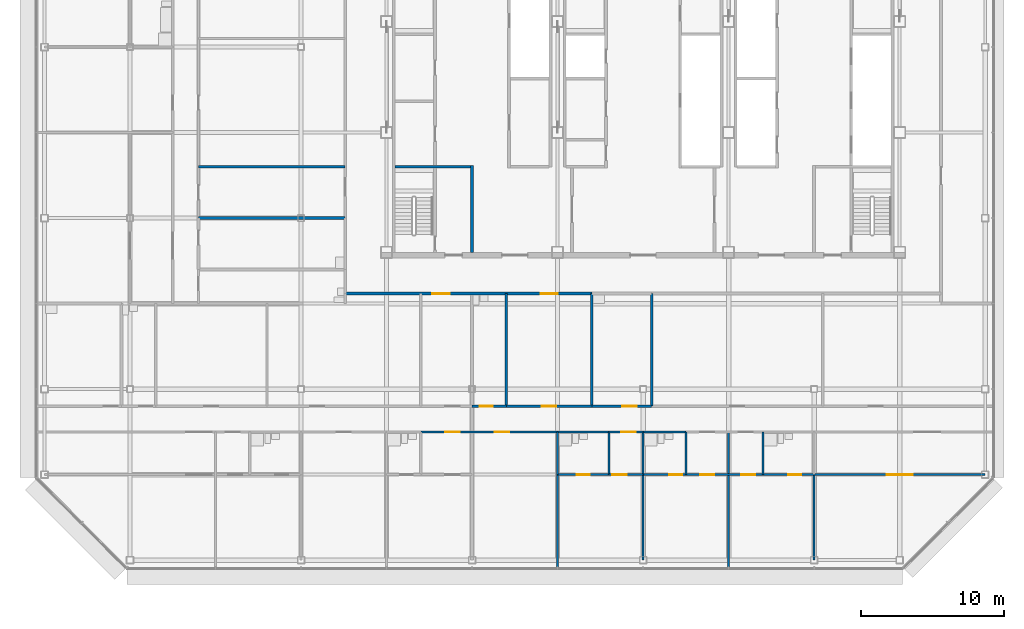
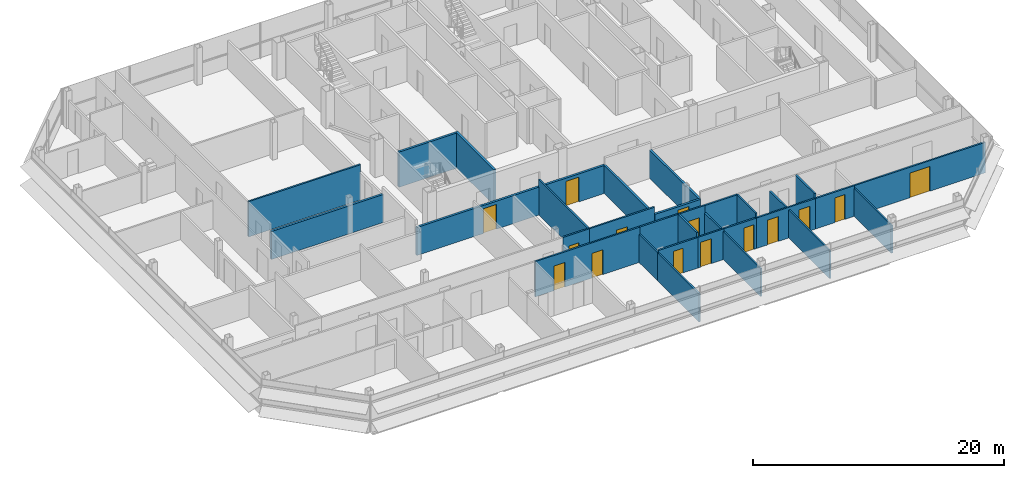
# One storey, part 22 of 28: 30 walls, 15 doors, 15 openings.
"""IFC4 building model written with IfcOpenShell, lengths in metres."""

import ifcopenshell
import ifcopenshell.guid

model = None  # the IFC model being written
_history = None  # IfcOwnerHistory: only IFC2X3 demands one
_inside = {}  # id of a spatial element -> (the spatial element, [elements in it])
_under = {}  # id of a project, library or spatial element -> (it, [spatial elements below it])
_declared = {}  # id of a project -> (the project, [libraries it declares])
_typed = {}  # id of a type object -> (the type object, [elements of that type])
_made_of = {}  # id of a material, layer set ... -> (it, [elements and type objects made of it])


def new_model(schema):
    """Start an empty IFC model of exactly this schema.

    Asked for "IFC4X3", IfcOpenShell would pick the latest addendum, in which some entities
    have other attributes; the version numbers below select the first issue.
    IFC2X3 requires an IfcOwnerHistory on every rooted entity: one is made here for all.
    """
    global model, _history
    if schema == "IFC4X3":
        model = ifcopenshell.file(schema_version=(4, 3, 0, 0))
    else:
        model = ifcopenshell.file(schema=schema)
    _inside.clear()
    _under.clear()
    _declared.clear()
    _typed.clear()
    _made_of.clear()
    _history = None
    if model.schema == "IFC2X3":
        org = make("IfcOrganization", Name="unknown")
        user = make(
            "IfcPersonAndOrganization",
            ThePerson=make("IfcPerson", FamilyName="unknown"),
            TheOrganization=org,
        )
        app = make(
            "IfcApplication",
            ApplicationDeveloper=org,
            Version="unknown",
            ApplicationFullName="unknown",
            ApplicationIdentifier="unknown",
        )
        _history = make(
            "IfcOwnerHistory",
            OwningUser=user,
            OwningApplication=app,
            ChangeAction="ADDED",
            CreationDate=0,
        )
    return model


def make(cls, **values):
    """One entity of the class cls with the attributes given. An attribute that is None is left unset."""
    return model.create_entity(
        cls, **{name: value for name, value in values.items() if value is not None}
    )


def rooted(cls, **values):
    """An entity with a GlobalId (a new one), such as an element, a storey or a relation."""
    return make(cls, GlobalId=ifcopenshell.guid.new(), OwnerHistory=_history, **values)


def si_unit(unit_type, name, prefix=None):
    """IfcSIUnit, for example si_unit("LENGTHUNIT", "METRE", prefix="MILLI")."""
    return make("IfcSIUnit", UnitType=unit_type, Prefix=prefix, Name=name)


def assignment(units):
    """IfcUnitAssignment: the units of a project."""
    return None if units is None else make("IfcUnitAssignment", Units=units)


def point(xyz):
    """IfcCartesianPoint."""
    return None if xyz is None else make("IfcCartesianPoint", Coordinates=xyz)


def direction(xyz):
    """IfcDirection."""
    return None if xyz is None else make("IfcDirection", DirectionRatios=xyz)


def frame(location, z_axis=None, x_axis=None):
    """IfcAxis2Placement3D, a coordinate frame: its origin and axes. An axis left out is left unset."""
    return make(
        "IfcAxis2Placement3D",
        Location=point(location),
        Axis=direction(z_axis),
        RefDirection=direction(x_axis),
    )


def frame_2d(location, x_axis=None):
    """IfcAxis2Placement2D, a coordinate frame in the plane: its origin and x axis."""
    return make(
        "IfcAxis2Placement2D", Location=point(location), RefDirection=direction(x_axis)
    )


def origin():
    """The frame at (0, 0, 0) with its axes left unset."""
    return frame((0.0, 0.0, 0.0))


def place(relative_to, where):
    """IfcLocalPlacement: puts the frame where relative to a parent placement (None: the world)."""
    return make(
        "IfcLocalPlacement", PlacementRelTo=relative_to, RelativePlacement=where
    )


def context(
    kind, dimensions, precision=None, world=None, true_north=None, identifier=None
):
    """IfcGeometricRepresentationContext, for example the 3D "Model" context."""
    return make(
        "IfcGeometricRepresentationContext",
        ContextIdentifier=identifier,
        ContextType=kind,
        CoordinateSpaceDimension=dimensions,
        Precision=precision,
        WorldCoordinateSystem=world,
        TrueNorth=true_north,
    )


def subcontext(parent, identifier, kind, view, scale=None):
    """IfcGeometricRepresentationSubContext, for example "Body" below "Model"."""
    return make(
        "IfcGeometricRepresentationSubContext",
        ContextIdentifier=identifier,
        ContextType=kind,
        ParentContext=parent,
        TargetScale=scale,
        TargetView=view,
    )


def project(units=None, contexts=None):
    """IfcProject with its units and contexts."""
    return rooted(
        "IfcProject",
        Name="project",
        RepresentationContexts=contexts,
        UnitsInContext=assignment(units),
    )


def spatial(cls, under=None, at=None, **own):
    """A site, building, storey or space (cls), placed at a placement, below another one or the project."""
    s = rooted(cls, ObjectPlacement=at, **own)
    if under is not None:
        _under.setdefault(under.id(), (under, []))[1].append(s)
    return s


def profile(cls, at=None, kind="AREA", **sizes):
    """A parametric profile (cls). Its sizes go by their IFC names, for example OverallWidth=200.0."""
    return make(cls, ProfileType=kind, Position=at, **sizes)


def rectangle(**sizes):
    """IfcRectangleProfileDef."""
    return profile("IfcRectangleProfileDef", **sizes)


def extrude(swept, where, along, depth):
    """IfcExtrudedAreaSolid: the profile swept, set in the frame where, extruded along a direction by depth."""
    return make(
        "IfcExtrudedAreaSolid",
        SweptArea=swept,
        Position=where,
        ExtrudedDirection=direction(along),
        Depth=depth,
    )


def shape(context_of_items, identifier, shape_type, items):
    """IfcShapeRepresentation: the items that make up one representation, for example the "Body"."""
    return make(
        "IfcShapeRepresentation",
        ContextOfItems=context_of_items,
        RepresentationIdentifier=identifier,
        RepresentationType=shape_type,
        Items=items,
    )


def material(Name=None, Category=None):
    """IfcMaterial."""
    return make("IfcMaterial", Name=Name, Category=Category)


def layer(
    of_material, thickness, ventilated=None, Name=None, Category=None, Priority=None
):
    """IfcMaterialLayer: one layer of a wall or slab, of a material (None: an air gap)."""
    return make(
        "IfcMaterialLayer",
        Material=of_material,
        LayerThickness=thickness,
        IsVentilated=ventilated,
        Name=Name,
        Category=Category,
        Priority=Priority,
    )


def layer_set(layers, Name=None):
    """IfcMaterialLayerSet."""
    return make("IfcMaterialLayerSet", MaterialLayers=layers, LayerSetName=Name)


def made_of(thing, what):
    """Note that an element or type object is made of a material, layer set ...; save() writes the relation."""
    if what is not None:
        _made_of.setdefault(what.id(), (what, []))[1].append(thing)
    return thing


def type_object(cls, material=None, **own):
    """A type object (cls), such as IfcWallType, which elements share."""
    return made_of(rooted(cls, **own), material)


def element(
    cls,
    number,
    at=None,
    inside=None,
    cuts=None,
    type_object=None,
    material=None,
    context=None,
    identifier="Body",
    shape_type=None,
    held_by="IfcProductDefinitionShape",
    body=None,
    shapes=None,
    **own,
):
    """One element of the class cls, such as IfcWall. Its Tag is "e" and its number.

    at: its placement. inside: the storey or other place that contains it. cuts: it is an
    opening in that element (IfcRelVoidsElement). A single representation is given by context,
    identifier, shape_type and body (its items); several are given by shapes. held_by: the class
    of the entity that holds the representations. save() writes the other relations.
    """
    e = rooted(cls, Tag="e%d" % number, ObjectPlacement=at, **own)
    if body is not None:
        shapes = [shape(context, identifier, shape_type, body)]
    if shapes is not None:
        e.Representation = make(held_by, Representations=shapes)
    if inside is not None:
        _inside.setdefault(inside.id(), (inside, []))[1].append(e)
    if cuts is not None:
        rooted(
            "IfcRelVoidsElement", RelatingBuildingElement=cuts, RelatedOpeningElement=e
        )
    if type_object is not None:
        _typed.setdefault(type_object.id(), (type_object, []))[1].append(e)
    return made_of(e, material)


def fill(opening, filler):
    """IfcRelFillsElement: the door or window that sits in an opening."""
    return rooted(
        "IfcRelFillsElement",
        RelatingOpeningElement=opening,
        RelatedBuildingElement=filler,
    )


def aggregate(whole, parts):
    """IfcRelAggregates: a whole, such as a stair, and the parts it consists of."""
    return rooted("IfcRelAggregates", RelatingObject=whole, RelatedObjects=parts)


def save(model, path):
    """Write the relations noted so far, then the file.

    IfcRelAggregates (storeys below a building ...), IfcRelContainedInSpatialStructure (elements
    in a storey), IfcRelDefinesByType, IfcRelAssociatesMaterial and IfcRelDeclares: one each for
    every whole, place, type object, material and project.
    """
    for whole, parts in _under.values():
        aggregate(whole, parts)
    for where, things in _inside.values():
        rooted(
            "IfcRelContainedInSpatialStructure",
            RelatedElements=things,
            RelatingStructure=where,
        )
    for kind, things in _typed.values():
        rooted("IfcRelDefinesByType", RelatedObjects=things, RelatingType=kind)
    for what, things in _made_of.values():
        rooted("IfcRelAssociatesMaterial", RelatedObjects=things, RelatingMaterial=what)
    for by, libraries in _declared.values():
        rooted("IfcRelDeclares", RelatingContext=by, RelatedDefinitions=libraries)
    model.write(path)


model = new_model("IFC4")

# Units and contexts
model_context = context("Model", 3, precision=1e-05, world=origin(), true_north=direction((0.0, 1.0)))
body_context = subcontext(model_context, "Body", "Model", "MODEL_VIEW")
ifc_project = project(units=[si_unit("LENGTHUNIT", "METRE"), si_unit("AREAUNIT", "SQUARE_METRE"), si_unit("VOLUMEUNIT", "CUBIC_METRE"), si_unit("PLANEANGLEUNIT", "RADIAN"), si_unit("MASSUNIT", "GRAM", prefix="KILO")], contexts=[model_context])

# Site, building, storey
site_placement = place(None, origin())
site = spatial("IfcSite", under=ifc_project, at=site_placement, CompositionType="ELEMENT")
building_placement = place(site_placement, origin())
building = spatial("IfcBuilding", under=site, at=building_placement, Name="Sorahane Residences", CompositionType="ELEMENT")
storey_placement = place(building_placement, frame((0.0, 0.0, 308.800048828125)))
storey = spatial("IfcBuildingStorey", under=building, at=storey_placement, Name="L73", CompositionType="ELEMENT", Elevation=308.800048828125)

# Wall, openings, doors
ifc_material_1 = material(Name="Concrete blockwork C20 wall", Category="masonry")
ifc_layer_1 = layer(ifc_material_1, 0.199951171875)
ifc_layer_set_1 = layer_set([ifc_layer_1], Name="Corridor wall 200 EI 120")
wall_type_1 = type_object("IfcWallType", Name="Corridor wall 200 EI 120", PredefinedType="SOLIDWALL", material=ifc_layer_set_1)
wall_1_placement = place(storey_placement, frame((3.10009765625, 18.699951171875, 0.0), z_axis=(0.0, 0.0, 1.0), x_axis=(1.0, 0.0, 0.0)))
wall_1 = element("IfcWall", 1, at=wall_1_placement, inside=storey, type_object=wall_type_1, Name="L73 corridor wall", PredefinedType="SOLIDWALL", context=body_context, shape_type="SweptSolid", body=[
    extrude(rectangle(XDim=17.2998046875, YDim=0.199951171875, at=frame_2d((8.64990234375, 0.0))), origin(), (0.0, 0.0, 1.0), 2.719970703125),
])
opening_1_placement = place(wall_1_placement, frame((6.1201171875, 0.0, 0.0)))
opening_1 = element("IfcOpeningElement", 2, at=opening_1_placement, cuts=wall_1, Name="Opening L73-44", PredefinedType="OPENING", context=body_context, shape_type="SweptSolid", body=[
    extrude(rectangle(XDim=1.199951171875, YDim=2.39990234375, at=frame_2d((0.60009765625, 1.199951171875))), frame((0.0, 0.10986328125, 0.0), z_axis=(0.0, -1.0, 0.0), x_axis=(1.0, 0.0, 0.0)), (0.0, 0.0, 1.0), 0.219970703125),
])
opening_2_placement = place(wall_1_placement, frame((13.699951171875, 0.0, 0.0)))
opening_2 = element("IfcOpeningElement", 3, at=opening_2_placement, cuts=wall_1, Name="Opening L73-45", PredefinedType="OPENING", context=body_context, shape_type="SweptSolid", body=[
    extrude(rectangle(XDim=1.199951171875, YDim=2.39990234375, at=frame_2d((0.60009765625, 1.199951171875))), frame((0.0, 0.10986328125, 0.0), z_axis=(0.0, -1.0, 0.0), x_axis=(1.0, 0.0, 0.0)), (0.0, 0.0, 1.0), 0.219970703125),
])
ifc_material_2 = material(Name="Timber veneered fire door", Category="wood")
door_type_1 = type_object("IfcDoorType", Name="Flat entrance door 1200x2400 FD60", OperationType="NOTDEFINED", PredefinedType="DOOR", material=ifc_material_2)
door_1_placement = place(opening_1_placement, frame((1.199951171875, 0.0, 0.0), z_axis=(0.0, 0.0, 1.0), x_axis=(-1.0, 0.0, 0.0)))
door_1 = element("IfcDoor", 4, at=door_1_placement, inside=storey, type_object=door_type_1, Name="Flat entrance door L73-44", OperationType="SINGLE_SWING_LEFT", OverallHeight=2.39990234375, OverallWidth=1.199951171875, PredefinedType="DOOR", context=body_context, shape_type="SweptSolid", body=[
    extrude(rectangle(XDim=1.199951171875, YDim=2.39990234375, at=frame_2d((0.60009765625, 1.199951171875))), frame((0.0, 0.02490234375, 0.0), z_axis=(0.0, -1.0, 0.0), x_axis=(1.0, 0.0, 0.0)), (0.0, 0.0, 1.0), 0.050048828125),
])
fill(opening_1, door_1)
door_2_placement = place(opening_2_placement, frame((1.199951171875, 0.0, 0.0), z_axis=(0.0, 0.0, 1.0), x_axis=(-1.0, 0.0, 0.0)))
door_2 = element("IfcDoor", 5, at=door_2_placement, inside=storey, type_object=door_type_1, Name="Flat entrance door L73-45", OperationType="SINGLE_SWING_LEFT", OverallHeight=2.39990234375, OverallWidth=1.199951171875, PredefinedType="DOOR", context=body_context, shape_type="SweptSolid", body=[
    extrude(rectangle(XDim=1.199951171875, YDim=2.39990234375, at=frame_2d((0.60009765625, 1.199951171875))), frame((0.0, 0.02490234375, 0.0), z_axis=(0.0, -1.0, 0.0), x_axis=(1.0, 0.0, 0.0)), (0.0, 0.0, 1.0), 0.050048828125),
])
fill(opening_2, door_2)

# Walls
ifc_material_3 = material(Name="Concrete C30", Category="concrete")
ifc_layer_2 = layer(ifc_material_3, 0.199951171875)
ifc_layer_set_2 = layer_set([ifc_layer_2], Name="Front room wall 200 EI 120")
wall_type_2 = type_object("IfcWallType", Name="Front room wall 200 EI 120", PredefinedType="PARTITIONING", material=ifc_layer_set_2)
wall_2_placement = place(storey_placement, frame((12.0, 21.60009765625, 0.0), z_axis=(0.0, 0.0, 1.0), x_axis=(0.0, 1.0, 0.0)))
element("IfcWall", 6, at=wall_2_placement, inside=storey, type_object=wall_type_2, Name="L73 front room wall", PredefinedType="PARTITIONING", context=body_context, shape_type="SweptSolid", body=[
    extrude(rectangle(XDim=6.099853515625, YDim=0.199951171875, at=frame_2d((3.0498046875, 0.0))), origin(), (0.0, 0.0, 1.0), 3.419921875),
])
ifc_material_4 = material(Name="Concrete blockwork C20 wall", Category="masonry")
ifc_layer_3 = layer(ifc_material_4, 0.199951171875)
ifc_layer_set_3 = layer_set([ifc_layer_3], Name="Kitchen wall 200 EI 180")
wall_type_3 = type_object("IfcWallType", Name="Kitchen wall 200 EI 180", PredefinedType="SOLIDWALL", material=ifc_layer_set_3)
for number, where, z_axis, x_axis, name in (
    (7, (20.39990234375, 10.800048828125, 0.0), (0.0, 0.0, 1.0), (0.0, 1.0, 0.0), "L73 kitchen wall"),
    (8, (24.60009765625, 10.800048828125, 0.0), (0.0, 0.0, 1.0), (0.0, 1.0, 0.0), "L73 kitchen wall"),
):
    element("IfcWall", number, at=place(storey_placement, frame(where, z_axis=z_axis, x_axis=x_axis)), inside=storey, type_object=wall_type_3, Name=name, PredefinedType="SOLIDWALL", context=body_context, shape_type="SweptSolid", body=[
        extrude(rectangle(XDim=7.89990234375, YDim=0.199951171875, at=frame_2d((3.949951171875, 0.0))), origin(), (0.0, 0.0, 1.0), 2.719970703125),
    ])

# Wall, opening, door
wall_3_placement = place(storey_placement, frame((20.39990234375, 10.800048828125, 0.0), z_axis=(0.0, 0.0, 1.0), x_axis=(1.0, 0.0, 0.0)))
wall_3 = element("IfcWall", 9, at=wall_3_placement, inside=storey, type_object=wall_type_3, Name="L73 kitchen wall", PredefinedType="SOLIDWALL", context=body_context, shape_type="SweptSolid", body=[
    extrude(rectangle(XDim=4.2001953125, YDim=0.199951171875, at=frame_2d((2.10009765625, 0.0))), origin(), (0.0, 0.0, 1.0), 2.719970703125),
])
opening_3_placement = place(wall_3_placement, frame((2.139892578125, 0.0, 0.0)))
opening_3 = element("IfcOpeningElement", 10, at=opening_3_placement, cuts=wall_3, Name="Opening L73-17", PredefinedType="OPENING", context=body_context, shape_type="SweptSolid", body=[
    extrude(rectangle(XDim=1.0, YDim=2.39990234375, at=frame_2d((0.5, 1.199951171875))), frame((0.0, 0.10986328125, 0.0), z_axis=(0.0, -1.0, 0.0), x_axis=(1.0, 0.0, 0.0)), (0.0, 0.0, 1.0), 0.219970703125),
])
ifc_material_5 = material(Name="Steel", Category="steel")
door_type_2 = type_object("IfcDoorType", Name="Kitchen door 1000x2400 FD120", OperationType="NOTDEFINED", PredefinedType="DOOR", material=ifc_material_5)
door_3_placement = place(opening_3_placement, origin())
door_3 = element("IfcDoor", 11, at=door_3_placement, inside=storey, type_object=door_type_2, Name="Kitchen door L73-17", OperationType="SINGLE_SWING_RIGHT", OverallHeight=2.39990234375, OverallWidth=1.0, PredefinedType="DOOR", context=body_context, shape_type="SweptSolid", body=[
    extrude(rectangle(XDim=1.0, YDim=2.39990234375, at=frame_2d((0.5, 1.199951171875))), frame((0.0, 0.02490234375, 0.0), z_axis=(0.0, -1.0, 0.0), x_axis=(1.0, 0.0, 0.0)), (0.0, 0.0, 1.0), 0.050048828125),
])
fill(opening_3, door_3)

# Walls
wall_4_placement = place(storey_placement, frame((-7.199951171875, 24.0, 0.0), z_axis=(0.0, 0.0, 1.0), x_axis=(1.0, 0.0, 0.0)))
element("IfcWall", 12, at=wall_4_placement, inside=storey, type_object=wall_type_3, Name="L73 kitchen wall", PredefinedType="SOLIDWALL", context=body_context, shape_type="SweptSolid", body=[
    extrude(rectangle(XDim=10.300048828125, YDim=0.199951171875, at=frame_2d((5.14990234375, 0.0))), origin(), (0.0, 0.0, 1.0), 2.719970703125),
])
ifc_material_6 = material(Name="Gypsum board partition on steel studs", Category="steel")
ifc_layer_4 = layer(ifc_material_6, 0.14990234375)
ifc_layer_set_4 = layer_set([ifc_layer_4], Name="Partition 150 EI 90")
wall_type_4 = type_object("IfcWallType", Name="Partition 150 EI 90", PredefinedType="PARTITIONING", material=ifc_layer_set_4)
wall_5_placement = place(storey_placement, frame((18.0, -0.60009765625, 0.0), z_axis=(0.0, 0.0, 1.0), x_axis=(0.0, 1.0, 0.0)))
element("IfcWall", 13, at=wall_5_placement, inside=storey, type_object=wall_type_4, Name="L73 partition", PredefinedType="PARTITIONING", context=body_context, shape_type="SweptSolid", body=[
    extrude(rectangle(XDim=6.60009765625, YDim=0.14990234375, at=frame_2d((3.300048828125, 0.0))), origin(), (0.0, 0.0, 1.0), 2.719970703125),
])
wall_6_placement = place(storey_placement, frame((24.0, 0.0, 0.0), z_axis=(0.0, 0.0, 1.0), x_axis=(0.0, 1.0, 0.0)))
element("IfcWall", 14, at=wall_6_placement, inside=storey, type_object=wall_type_4, Name="L73 partition", PredefinedType="PARTITIONING", context=body_context, shape_type="SweptSolid", body=[
    extrude(rectangle(XDim=6.0, YDim=0.14990234375, at=frame_2d((3.0, 0.0))), origin(), (0.0, 0.0, 1.0), 2.719970703125),
])
wall_7_placement = place(storey_placement, frame((30.0, -0.60009765625, 0.0), z_axis=(0.0, 0.0, 1.0), x_axis=(0.0, 1.0, 0.0)))
element("IfcWall", 15, at=wall_7_placement, inside=storey, type_object=wall_type_4, Name="L73 partition", PredefinedType="PARTITIONING", context=body_context, shape_type="SweptSolid", body=[
    extrude(rectangle(XDim=9.60009765625, YDim=0.14990234375, at=frame_2d((4.800048828125, 0.0))), origin(), (0.0, 0.0, 1.0), 2.719970703125),
])
wall_8_placement = place(storey_placement, frame((36.0, 0.0, 0.0), z_axis=(0.0, 0.0, 1.0), x_axis=(0.0, 1.0, 0.0)))
element("IfcWall", 16, at=wall_8_placement, inside=storey, type_object=wall_type_4, Name="L73 partition", PredefinedType="PARTITIONING", context=body_context, shape_type="SweptSolid", body=[
    extrude(rectangle(XDim=6.0, YDim=0.14990234375, at=frame_2d((3.0, 0.0))), origin(), (0.0, 0.0, 1.0), 2.719970703125),
])

# Wall, opening, door
wall_9_placement = place(storey_placement, frame((14.39990234375, 10.800048828125, 0.0), z_axis=(0.0, 0.0, 1.0), x_axis=(1.0, 0.0, 0.0)))
wall_9 = element("IfcWall", 17, at=wall_9_placement, inside=storey, type_object=wall_type_4, Name="L73 partition", PredefinedType="PARTITIONING", context=body_context, shape_type="SweptSolid", body=[
    extrude(rectangle(XDim=6.0, YDim=0.14990234375, at=frame_2d((3.0, 0.0))), origin(), (0.0, 0.0, 1.0), 3.419921875),
])
opening_4_placement = place(wall_9_placement, frame((2.5, 0.0, 0.0)))
opening_4 = element("IfcOpeningElement", 18, at=opening_4_placement, cuts=wall_9, Name="Opening L73-15", PredefinedType="OPENING", context=body_context, shape_type="SweptSolid", body=[
    extrude(rectangle(XDim=1.0, YDim=2.39990234375, at=frame_2d((0.5, 1.199951171875))), frame((0.0, 0.0849609375, 0.0), z_axis=(0.0, -1.0, 0.0), x_axis=(1.0, 0.0, 0.0)), (0.0, 0.0, 1.0), 0.169921875),
])
ifc_material_7 = material(Name="Timber veneered fire door", Category="wood")
door_type_3 = type_object("IfcDoorType", Name="Room door 1000x2400 FD30", OperationType="NOTDEFINED", PredefinedType="DOOR", material=ifc_material_7)
door_4_placement = place(opening_4_placement, frame((1.0, 0.0, 0.0), z_axis=(0.0, 0.0, 1.0), x_axis=(-1.0, 0.0, 0.0)))
door_4 = element("IfcDoor", 19, at=door_4_placement, inside=storey, type_object=door_type_3, Name="Room door L73-15", OperationType="SINGLE_SWING_RIGHT", OverallHeight=2.39990234375, OverallWidth=1.0, PredefinedType="DOOR", context=body_context, shape_type="SweptSolid", body=[
    extrude(rectangle(XDim=1.0, YDim=2.39990234375, at=frame_2d((0.5, 1.199951171875))), frame((0.0, 0.02490234375, 0.0), z_axis=(0.0, -1.0, 0.0), x_axis=(1.0, 0.0, 0.0)), (0.0, 0.0, 1.0), 0.050048828125),
])
fill(opening_4, door_4)

# Wall
wall_10_placement = place(storey_placement, frame((-7.199951171875, 27.60009765625, 0.0), z_axis=(0.0, 0.0, 1.0), x_axis=(1.0, 0.0, 0.0)))
element("IfcWall", 20, at=wall_10_placement, inside=storey, type_object=wall_type_4, Name="L73 partition", PredefinedType="PARTITIONING", context=body_context, shape_type="SweptSolid", body=[
    extrude(rectangle(XDim=10.300048828125, YDim=0.14990234375, at=frame_2d((5.14990234375, 0.0))), origin(), (0.0, 0.0, 1.0), 3.419921875),
])

# Wall, opening, door
wall_11_placement = place(storey_placement, frame((21.60009765625, 6.0, 0.0), z_axis=(0.0, 0.0, 1.0), x_axis=(1.0, 0.0, 0.0)))
wall_11 = element("IfcWall", 21, at=wall_11_placement, inside=storey, type_object=wall_type_4, Name="L73 partition", PredefinedType="PARTITIONING", context=body_context, shape_type="SweptSolid", body=[
    extrude(rectangle(XDim=2.39990234375, YDim=0.14990234375, at=frame_2d((1.199951171875, 0.0))), origin(), (0.0, 0.0, 1.0), 2.969970703125),
])
opening_5_placement = place(wall_11_placement, frame((0.25, 0.0, 0.0)))
opening_5 = element("IfcOpeningElement", 22, at=opening_5_placement, cuts=wall_11, Name="Opening L73-25", PredefinedType="OPENING", context=body_context, shape_type="SweptSolid", body=[
    extrude(rectangle(XDim=1.0, YDim=2.39990234375, at=frame_2d((0.5, 1.199951171875))), frame((0.0, 0.0849609375, 0.0), z_axis=(0.0, -1.0, 0.0), x_axis=(1.0, 0.0, 0.0)), (0.0, 0.0, 1.0), 0.169921875),
])
door_5_placement = place(opening_5_placement, frame((1.0, 0.0, 0.0), z_axis=(0.0, 0.0, 1.0), x_axis=(-1.0, 0.0, 0.0)))
door_5 = element("IfcDoor", 23, at=door_5_placement, inside=storey, type_object=door_type_3, Name="Room door L73-25", OperationType="SINGLE_SWING_RIGHT", OverallHeight=2.39990234375, OverallWidth=1.0, PredefinedType="DOOR", context=body_context, shape_type="SweptSolid", body=[
    extrude(rectangle(XDim=1.0, YDim=2.39990234375, at=frame_2d((0.5, 1.199951171875))), frame((0.0, 0.02490234375, 0.0), z_axis=(0.0, -1.0, 0.0), x_axis=(1.0, 0.0, 0.0)), (0.0, 0.0, 1.0), 0.050048828125),
])
fill(opening_5, door_5)

# Wall, openings, doors
wall_12_placement = place(storey_placement, frame((27.0, 6.0, 0.0), z_axis=(0.0, 0.0, 1.0), x_axis=(1.0, 0.0, 0.0)))
wall_12 = element("IfcWall", 24, at=wall_12_placement, inside=storey, type_object=wall_type_4, Name="L73 partition", PredefinedType="PARTITIONING", context=body_context, shape_type="SweptSolid", body=[
    extrude(rectangle(XDim=5.39990234375, YDim=0.14990234375, at=frame_2d((2.699951171875, 0.0))), origin(), (0.0, 0.0, 1.0), 2.969970703125),
])
opening_6_placement = place(wall_12_placement, frame((1.0, 0.0, 0.0)))
opening_6 = element("IfcOpeningElement", 25, at=opening_6_placement, cuts=wall_12, Name="Opening L73-27", PredefinedType="OPENING", context=body_context, shape_type="SweptSolid", body=[
    extrude(rectangle(XDim=1.0, YDim=2.39990234375, at=frame_2d((0.5, 1.199951171875))), frame((0.0, 0.0849609375, 0.0), z_axis=(0.0, -1.0, 0.0), x_axis=(1.0, 0.0, 0.0)), (0.0, 0.0, 1.0), 0.169921875),
])
opening_7_placement = place(wall_12_placement, frame((3.8798828125, 0.0, 0.0)))
opening_7 = element("IfcOpeningElement", 26, at=opening_7_placement, cuts=wall_12, Name="Opening L73-29", PredefinedType="OPENING", context=body_context, shape_type="SweptSolid", body=[
    extrude(rectangle(XDim=1.0, YDim=2.39990234375, at=frame_2d((0.5, 1.199951171875))), frame((0.0, 0.0849609375, 0.0), z_axis=(0.0, -1.0, 0.0), x_axis=(1.0, 0.0, 0.0)), (0.0, 0.0, 1.0), 0.169921875),
])
door_6_placement = place(opening_6_placement, frame((1.0, 0.0, 0.0), z_axis=(0.0, 0.0, 1.0), x_axis=(-1.0, 0.0, 0.0)))
door_6 = element("IfcDoor", 27, at=door_6_placement, inside=storey, type_object=door_type_3, Name="Room door L73-27", OperationType="SINGLE_SWING_LEFT", OverallHeight=2.39990234375, OverallWidth=1.0, PredefinedType="DOOR", context=body_context, shape_type="SweptSolid", body=[
    extrude(rectangle(XDim=1.0, YDim=2.39990234375, at=frame_2d((0.5, 1.199951171875))), frame((0.0, 0.02490234375, 0.0), z_axis=(0.0, -1.0, 0.0), x_axis=(1.0, 0.0, 0.0)), (0.0, 0.0, 1.0), 0.050048828125),
])
fill(opening_6, door_6)
door_7_placement = place(opening_7_placement, frame((1.0, 0.0, 0.0), z_axis=(0.0, 0.0, 1.0), x_axis=(-1.0, 0.0, 0.0)))
door_7 = element("IfcDoor", 28, at=door_7_placement, inside=storey, type_object=door_type_3, Name="Room door L73-29", OperationType="SINGLE_SWING_LEFT", OverallHeight=2.39990234375, OverallWidth=1.0, PredefinedType="DOOR", context=body_context, shape_type="SweptSolid", body=[
    extrude(rectangle(XDim=1.0, YDim=2.39990234375, at=frame_2d((0.5, 1.199951171875))), frame((0.0, 0.02490234375, 0.0), z_axis=(0.0, -1.0, 0.0), x_axis=(1.0, 0.0, 0.0)), (0.0, 0.0, 1.0), 0.050048828125),
])
fill(opening_7, door_7)

# Wall, opening, door
wall_13_placement = place(storey_placement, frame((36.0, 6.0, 0.0), z_axis=(0.0, 0.0, 1.0), x_axis=(1.0, 0.0, 0.0)))
wall_13 = element("IfcWall", 29, at=wall_13_placement, inside=storey, type_object=wall_type_4, Name="L73 partition", PredefinedType="PARTITIONING", context=body_context, shape_type="SweptSolid", body=[
    extrude(rectangle(XDim=12.0, YDim=0.14990234375, at=frame_2d((6.0, 0.0))), origin(), (0.0, 0.0, 1.0), 2.969970703125),
])
opening_8_placement = place(wall_13_placement, frame((5.10009765625, 0.0, 0.0)))
opening_8 = element("IfcOpeningElement", 30, at=opening_8_placement, cuts=wall_13, Name="Opening L73-31", PredefinedType="OPENING", context=body_context, shape_type="SweptSolid", body=[
    extrude(rectangle(XDim=1.800048828125, YDim=2.39990234375, at=frame_2d((0.89990234375, 1.199951171875))), frame((0.0, 0.0849609375, 0.0), z_axis=(0.0, -1.0, 0.0), x_axis=(1.0, 0.0, 0.0)), (0.0, 0.0, 1.0), 0.169921875),
])
ifc_material_8 = material(Name="Timber veneered fire door", Category="wood")
door_type_4 = type_object("IfcDoorType", Name="Double door 1800x2400 FD30", OperationType="NOTDEFINED", PredefinedType="DOOR", material=ifc_material_8)
door_8_placement = place(opening_8_placement, frame((1.800048828125, 0.0, 0.0), z_axis=(0.0, 0.0, 1.0), x_axis=(-1.0, 0.0, 0.0)))
door_8 = element("IfcDoor", 31, at=door_8_placement, inside=storey, type_object=door_type_4, Name="Double door L73-31", OperationType="SINGLE_SWING_LEFT", OverallHeight=2.39990234375, OverallWidth=1.800048828125, PredefinedType="DOOR", context=body_context, shape_type="SweptSolid", body=[
    extrude(rectangle(XDim=1.800048828125, YDim=2.39990234375, at=frame_2d((0.89990234375, 1.199951171875))), frame((0.0, 0.02490234375, 0.0), z_axis=(0.0, -1.0, 0.0), x_axis=(1.0, 0.0, 0.0)), (0.0, 0.0, 1.0), 0.050048828125),
])
fill(opening_8, door_8)

# Wall, openings, doors
wall_14_placement = place(storey_placement, frame((8.39990234375, 9.0, 0.0), z_axis=(0.0, 0.0, 1.0), x_axis=(1.0, 0.0, 0.0)))
wall_14 = element("IfcWall", 32, at=wall_14_placement, inside=storey, type_object=wall_type_4, Name="L73 partition", PredefinedType="PARTITIONING", context=body_context, shape_type="SweptSolid", body=[
    extrude(rectangle(XDim=9.60009765625, YDim=0.14990234375, at=frame_2d((4.800048828125, 0.0))), origin(), (0.0, 0.0, 1.0), 3.419921875),
])
opening_9_placement = place(wall_14_placement, frame((1.719970703125, 0.0, 0.0)))
opening_9 = element("IfcOpeningElement", 33, at=opening_9_placement, cuts=wall_14, Name="Opening L73-09", PredefinedType="OPENING", context=body_context, shape_type="SweptSolid", body=[
    extrude(rectangle(XDim=1.0, YDim=2.39990234375, at=frame_2d((0.5, 1.199951171875))), frame((0.0, 0.0849609375, 0.0), z_axis=(0.0, -1.0, 0.0), x_axis=(1.0, 0.0, 0.0)), (0.0, 0.0, 1.0), 0.169921875),
])
opening_10_placement = place(wall_14_placement, frame((5.199951171875, 0.0, 0.0)))
opening_10 = element("IfcOpeningElement", 34, at=opening_10_placement, cuts=wall_14, Name="Opening L73-20", PredefinedType="OPENING", context=body_context, shape_type="SweptSolid", body=[
    extrude(rectangle(XDim=1.0, YDim=2.39990234375, at=frame_2d((0.5, 1.199951171875))), frame((0.0, 0.0849609375, 0.0), z_axis=(0.0, -1.0, 0.0), x_axis=(1.0, 0.0, 0.0)), (0.0, 0.0, 1.0), 0.169921875),
])
door_9_placement = place(opening_9_placement, frame((1.0, 0.0, 0.0), z_axis=(0.0, 0.0, 1.0), x_axis=(-1.0, 0.0, 0.0)))
door_9 = element("IfcDoor", 35, at=door_9_placement, inside=storey, type_object=door_type_3, Name="Room door L73-09", OperationType="SINGLE_SWING_RIGHT", OverallHeight=2.39990234375, OverallWidth=1.0, PredefinedType="DOOR", context=body_context, shape_type="SweptSolid", body=[
    extrude(rectangle(XDim=1.0, YDim=2.39990234375, at=frame_2d((0.5, 1.199951171875))), frame((0.0, 0.02490234375, 0.0), z_axis=(0.0, -1.0, 0.0), x_axis=(1.0, 0.0, 0.0)), (0.0, 0.0, 1.0), 0.050048828125),
])
fill(opening_9, door_9)
door_10_placement = place(opening_10_placement, frame((1.0, 0.0, 0.0), z_axis=(0.0, 0.0, 1.0), x_axis=(-1.0, 0.0, 0.0)))
door_10 = element("IfcDoor", 36, at=door_10_placement, inside=storey, type_object=door_type_3, Name="Room door L73-20", OperationType="SINGLE_SWING_LEFT", OverallHeight=2.39990234375, OverallWidth=1.0, PredefinedType="DOOR", context=body_context, shape_type="SweptSolid", body=[
    extrude(rectangle(XDim=1.0, YDim=2.39990234375, at=frame_2d((0.5, 1.199951171875))), frame((0.0, 0.02490234375, 0.0), z_axis=(0.0, -1.0, 0.0), x_axis=(1.0, 0.0, 0.0)), (0.0, 0.0, 1.0), 0.050048828125),
])
fill(opening_10, door_10)

# Wall, opening, door
wall_15_placement = place(storey_placement, frame((21.60009765625, 9.0, 0.0), z_axis=(0.0, 0.0, 1.0), x_axis=(1.0, 0.0, 0.0)))
wall_15 = element("IfcWall", 37, at=wall_15_placement, inside=storey, type_object=wall_type_4, Name="L73 partition", PredefinedType="PARTITIONING", context=body_context, shape_type="SweptSolid", body=[
    extrude(rectangle(XDim=2.39990234375, YDim=0.14990234375, at=frame_2d((1.199951171875, 0.0))), origin(), (0.0, 0.0, 1.0), 3.419921875),
])
opening_11_placement = place(wall_15_placement, frame((0.8798828125, 0.0, 0.0)))
opening_11 = element("IfcOpeningElement", 38, at=opening_11_placement, cuts=wall_15, Name="Opening L73-21", PredefinedType="OPENING", context=body_context, shape_type="SweptSolid", body=[
    extrude(rectangle(XDim=1.0, YDim=2.39990234375, at=frame_2d((0.5, 1.199951171875))), frame((0.0, 0.0849609375, 0.0), z_axis=(0.0, -1.0, 0.0), x_axis=(1.0, 0.0, 0.0)), (0.0, 0.0, 1.0), 0.169921875),
])
door_11_placement = place(opening_11_placement, frame((1.0, 0.0, 0.0), z_axis=(0.0, 0.0, 1.0), x_axis=(-1.0, 0.0, 0.0)))
door_11 = element("IfcDoor", 39, at=door_11_placement, inside=storey, type_object=door_type_3, Name="Room door L73-21", OperationType="SINGLE_SWING_LEFT", OverallHeight=2.39990234375, OverallWidth=1.0, PredefinedType="DOOR", context=body_context, shape_type="SweptSolid", body=[
    extrude(rectangle(XDim=1.0, YDim=2.39990234375, at=frame_2d((0.5, 1.199951171875))), frame((0.0, 0.02490234375, 0.0), z_axis=(0.0, -1.0, 0.0), x_axis=(1.0, 0.0, 0.0)), (0.0, 0.0, 1.0), 0.050048828125),
])
fill(opening_11, door_11)

# Walls
ifc_material_9 = material(Name="Concrete C30", Category="concrete")
ifc_layer_5 = layer(ifc_material_9, 0.199951171875)
ifc_layer_set_5 = layer_set([ifc_layer_5], Name="Stair enclosure wall 200 EI 120")
wall_type_5 = type_object("IfcWallType", Name="Stair enclosure wall 200 EI 120", PredefinedType="SOLIDWALL", material=ifc_layer_set_5)
wall_16_placement = place(storey_placement, frame((6.60009765625, 27.60009765625, 0.0), z_axis=(0.0, 0.0, 1.0), x_axis=(1.0, 0.0, 0.0)))
element("IfcWall", 40, at=wall_16_placement, inside=storey, type_object=wall_type_5, Name="L73 stair enclosure wall", PredefinedType="SOLIDWALL", context=body_context, shape_type="SweptSolid", body=[
    extrude(rectangle(XDim=5.2998046875, YDim=0.199951171875, at=frame_2d((2.64990234375, 0.0))), origin(), (0.0, 0.0, 1.0), 3.419921875),
])
ifc_material_10 = material(Name="Gypsum board partition on steel studs", Category="steel")
ifc_layer_6 = layer(ifc_material_10, 0.14990234375)
ifc_layer_set_6 = layer_set([ifc_layer_6], Name="Wet wall 150 EI 90")
wall_type_6 = type_object("IfcWallType", Name="Wet wall 150 EI 90", PredefinedType="PARTITIONING", material=ifc_layer_set_6)
wall_17_placement = place(storey_placement, frame((14.39990234375, 10.800048828125, 0.0), z_axis=(0.0, 0.0, 1.0), x_axis=(0.0, 1.0, 0.0)))
element("IfcWall", 41, at=wall_17_placement, inside=storey, type_object=wall_type_6, Name="L73 wet wall", PredefinedType="PARTITIONING", context=body_context, shape_type="SweptSolid", body=[
    extrude(rectangle(XDim=7.89990234375, YDim=0.14990234375, at=frame_2d((3.949951171875, 0.0))), origin(), (0.0, 0.0, 1.0), 3.419921875),
])
wall_18_placement = place(storey_placement, frame((18.0, 6.0, 0.0), z_axis=(0.0, 0.0, 1.0), x_axis=(0.0, 1.0, 0.0)))
element("IfcWall", 42, at=wall_18_placement, inside=storey, type_object=wall_type_6, Name="L73 wet wall", PredefinedType="PARTITIONING", context=body_context, shape_type="SweptSolid", body=[
    extrude(rectangle(XDim=3.0, YDim=0.14990234375, at=frame_2d((1.5, 0.0))), origin(), (0.0, 0.0, 1.0), 2.719970703125),
])
wall_19_placement = place(storey_placement, frame((21.60009765625, 6.0, 0.0), z_axis=(0.0, 0.0, 1.0), x_axis=(0.0, 1.0, 0.0)))
element("IfcWall", 43, at=wall_19_placement, inside=storey, type_object=wall_type_6, Name="L73 wet wall", PredefinedType="PARTITIONING", context=body_context, shape_type="SweptSolid", body=[
    extrude(rectangle(XDim=3.0, YDim=0.14990234375, at=frame_2d((1.5, 0.0))), origin(), (0.0, 0.0, 1.0), 3.419921875),
])
wall_20_placement = place(storey_placement, frame((24.0, 6.0, 0.0), z_axis=(0.0, 0.0, 1.0), x_axis=(0.0, 1.0, 0.0)))
element("IfcWall", 44, at=wall_20_placement, inside=storey, type_object=wall_type_6, Name="L73 wet wall", PredefinedType="PARTITIONING", context=body_context, shape_type="SweptSolid", body=[
    extrude(rectangle(XDim=3.0, YDim=0.14990234375, at=frame_2d((1.5, 0.0))), origin(), (0.0, 0.0, 1.0), 2.719970703125),
])
for number, where, z_axis, x_axis, name in (
    (45, (27.0, 6.0, 0.0), (0.0, 0.0, 1.0), (0.0, 1.0, 0.0), "L73 wet wall"),
    (46, (32.39990234375, 6.0, 0.0), (0.0, 0.0, 1.0), (0.0, 1.0, 0.0), "L73 wet wall"),
):
    element("IfcWall", number, at=place(storey_placement, frame(where, z_axis=z_axis, x_axis=x_axis)), inside=storey, type_object=wall_type_6, Name=name, PredefinedType="PARTITIONING", context=body_context, shape_type="SweptSolid", body=[
        extrude(rectangle(XDim=3.0, YDim=0.14990234375, at=frame_2d((1.5, 0.0))), origin(), (0.0, 0.0, 1.0), 3.419921875),
    ])

# Wall, opening, door
wall_21_placement = place(storey_placement, frame((12.0, 10.800048828125, 0.0), z_axis=(0.0, 0.0, 1.0), x_axis=(1.0, 0.0, 0.0)))
wall_21 = element("IfcWall", 47, at=wall_21_placement, inside=storey, type_object=wall_type_6, Name="L73 wet wall", PredefinedType="PARTITIONING", context=body_context, shape_type="SweptSolid", body=[
    extrude(rectangle(XDim=2.39990234375, YDim=0.14990234375, at=frame_2d((1.199951171875, 0.0))), origin(), (0.0, 0.0, 1.0), 3.419921875),
])
opening_12_placement = place(wall_21_placement, frame((0.550048828125, 0.0, 0.0)))
opening_12 = element("IfcOpeningElement", 48, at=opening_12_placement, cuts=wall_21, Name="Opening L73-16", PredefinedType="OPENING", context=body_context, shape_type="SweptSolid", body=[
    extrude(rectangle(XDim=0.89990234375, YDim=2.39990234375, at=frame_2d((0.449951171875, 1.199951171875))), frame((0.0, 0.0849609375, 0.0), z_axis=(0.0, -1.0, 0.0), x_axis=(1.0, 0.0, 0.0)), (0.0, 0.0, 1.0), 0.169921875),
])
ifc_material_11 = material(Name="Timber veneered fire door", Category="wood")
door_type_5 = type_object("IfcDoorType", Name="Bathroom door 900x2400 FD30", OperationType="NOTDEFINED", PredefinedType="DOOR", material=ifc_material_11)
door_12_placement = place(opening_12_placement, frame((0.89990234375, 0.0, 0.0), z_axis=(0.0, 0.0, 1.0), x_axis=(-1.0, 0.0, 0.0)))
door_12 = element("IfcDoor", 49, at=door_12_placement, inside=storey, type_object=door_type_5, Name="Bathroom door L73-16", OperationType="SINGLE_SWING_LEFT", OverallHeight=2.39990234375, OverallWidth=0.89990234375, PredefinedType="DOOR", context=body_context, shape_type="SweptSolid", body=[
    extrude(rectangle(XDim=0.89990234375, YDim=2.39990234375, at=frame_2d((0.449951171875, 1.199951171875))), frame((0.0, 0.02490234375, 0.0), z_axis=(0.0, -1.0, 0.0), x_axis=(1.0, 0.0, 0.0)), (0.0, 0.0, 1.0), 0.050048828125),
])
fill(opening_12, door_12)

wall_22_placement = place(storey_placement, frame((18.0, 6.0, 0.0), z_axis=(0.0, 0.0, 1.0), x_axis=(1.0, 0.0, 0.0)))
wall_22 = element("IfcWall", 50, at=wall_22_placement, inside=storey, type_object=wall_type_6, Name="L73 wet wall", PredefinedType="PARTITIONING", context=body_context, shape_type="SweptSolid", body=[
    extrude(rectangle(XDim=3.60009765625, YDim=0.14990234375, at=frame_2d((1.800048828125, 0.0))), origin(), (0.0, 0.0, 1.0), 2.969970703125),
])
opening_13_placement = place(wall_22_placement, frame((1.35009765625, 0.0, 0.0)))
opening_13 = element("IfcOpeningElement", 51, at=opening_13_placement, cuts=wall_22, Name="Opening L73-26", PredefinedType="OPENING", context=body_context, shape_type="SweptSolid", body=[
    extrude(rectangle(XDim=0.89990234375, YDim=2.39990234375, at=frame_2d((0.449951171875, 1.199951171875))), frame((0.0, 0.0849609375, 0.0), z_axis=(0.0, -1.0, 0.0), x_axis=(1.0, 0.0, 0.0)), (0.0, 0.0, 1.0), 0.169921875),
])
door_13_placement = place(opening_13_placement, frame((0.89990234375, 0.0, 0.0), z_axis=(0.0, 0.0, 1.0), x_axis=(-1.0, 0.0, 0.0)))
door_13 = element("IfcDoor", 52, at=door_13_placement, inside=storey, type_object=door_type_5, Name="Bathroom door L73-26", OperationType="SINGLE_SWING_RIGHT", OverallHeight=2.39990234375, OverallWidth=0.89990234375, PredefinedType="DOOR", context=body_context, shape_type="SweptSolid", body=[
    extrude(rectangle(XDim=0.89990234375, YDim=2.39990234375, at=frame_2d((0.449951171875, 1.199951171875))), frame((0.0, 0.02490234375, 0.0), z_axis=(0.0, -1.0, 0.0), x_axis=(1.0, 0.0, 0.0)), (0.0, 0.0, 1.0), 0.050048828125),
])
fill(opening_13, door_13)

wall_23_placement = place(storey_placement, frame((24.0, 6.0, 0.0), z_axis=(0.0, 0.0, 1.0), x_axis=(1.0, 0.0, 0.0)))
wall_23 = element("IfcWall", 53, at=wall_23_placement, inside=storey, type_object=wall_type_6, Name="L73 wet wall", PredefinedType="PARTITIONING", context=body_context, shape_type="SweptSolid", body=[
    extrude(rectangle(XDim=3.0, YDim=0.14990234375, at=frame_2d((1.5, 0.0))), origin(), (0.0, 0.0, 1.0), 2.969970703125),
])
opening_14_placement = place(wall_23_placement, frame((1.85009765625, 0.0, 0.0)))
opening_14 = element("IfcOpeningElement", 54, at=opening_14_placement, cuts=wall_23, Name="Opening L73-28", PredefinedType="OPENING", context=body_context, shape_type="SweptSolid", body=[
    extrude(rectangle(XDim=0.89990234375, YDim=2.39990234375, at=frame_2d((0.449951171875, 1.199951171875))), frame((0.0, 0.0849609375, 0.0), z_axis=(0.0, -1.0, 0.0), x_axis=(1.0, 0.0, 0.0)), (0.0, 0.0, 1.0), 0.169921875),
])
door_14_placement = place(opening_14_placement, frame((0.89990234375, 0.0, 0.0), z_axis=(0.0, 0.0, 1.0), x_axis=(-1.0, 0.0, 0.0)))
door_14 = element("IfcDoor", 55, at=door_14_placement, inside=storey, type_object=door_type_5, Name="Bathroom door L73-28", OperationType="SINGLE_SWING_RIGHT", OverallHeight=2.39990234375, OverallWidth=0.89990234375, PredefinedType="DOOR", context=body_context, shape_type="SweptSolid", body=[
    extrude(rectangle(XDim=0.89990234375, YDim=2.39990234375, at=frame_2d((0.449951171875, 1.199951171875))), frame((0.0, 0.02490234375, 0.0), z_axis=(0.0, -1.0, 0.0), x_axis=(1.0, 0.0, 0.0)), (0.0, 0.0, 1.0), 0.050048828125),
])
fill(opening_14, door_14)

wall_24_placement = place(storey_placement, frame((32.39990234375, 6.0, 0.0), z_axis=(0.0, 0.0, 1.0), x_axis=(1.0, 0.0, 0.0)))
wall_24 = element("IfcWall", 56, at=wall_24_placement, inside=storey, type_object=wall_type_6, Name="L73 wet wall", PredefinedType="PARTITIONING", context=body_context, shape_type="SweptSolid", body=[
    extrude(rectangle(XDim=3.60009765625, YDim=0.14990234375, at=frame_2d((1.800048828125, 0.0))), origin(), (0.0, 0.0, 1.0), 2.969970703125),
])
opening_15_placement = place(wall_24_placement, frame((1.7900390625, 0.0, 0.0)))
opening_15 = element("IfcOpeningElement", 57, at=opening_15_placement, cuts=wall_24, Name="Opening L73-30", PredefinedType="OPENING", context=body_context, shape_type="SweptSolid", body=[
    extrude(rectangle(XDim=0.89990234375, YDim=2.39990234375, at=frame_2d((0.449951171875, 1.199951171875))), frame((0.0, 0.0849609375, 0.0), z_axis=(0.0, -1.0, 0.0), x_axis=(1.0, 0.0, 0.0)), (0.0, 0.0, 1.0), 0.169921875),
])
door_15_placement = place(opening_15_placement, frame((0.89990234375, 0.0, 0.0), z_axis=(0.0, 0.0, 1.0), x_axis=(-1.0, 0.0, 0.0)))
door_15 = element("IfcDoor", 58, at=door_15_placement, inside=storey, type_object=door_type_5, Name="Bathroom door L73-30", OperationType="SINGLE_SWING_RIGHT", OverallHeight=2.39990234375, OverallWidth=0.89990234375, PredefinedType="DOOR", context=body_context, shape_type="SweptSolid", body=[
    extrude(rectangle(XDim=0.89990234375, YDim=2.39990234375, at=frame_2d((0.449951171875, 1.199951171875))), frame((0.0, 0.02490234375, 0.0), z_axis=(0.0, -1.0, 0.0), x_axis=(1.0, 0.0, 0.0)), (0.0, 0.0, 1.0), 0.050048828125),
])
fill(opening_15, door_15)

# Walls
wall_25_placement = place(storey_placement, frame((18.0, 9.0, 0.0), z_axis=(0.0, 0.0, 1.0), x_axis=(1.0, 0.0, 0.0)))
element("IfcWall", 59, at=wall_25_placement, inside=storey, type_object=wall_type_6, Name="L73 wet wall", PredefinedType="PARTITIONING", context=body_context, shape_type="SweptSolid", body=[
    extrude(rectangle(XDim=3.60009765625, YDim=0.14990234375, at=frame_2d((1.800048828125, 0.0))), origin(), (0.0, 0.0, 1.0), 3.419921875),
])
wall_26_placement = place(storey_placement, frame((24.0, 9.0, 0.0), z_axis=(0.0, 0.0, 1.0), x_axis=(1.0, 0.0, 0.0)))
element("IfcWall", 60, at=wall_26_placement, inside=storey, type_object=wall_type_6, Name="L73 wet wall", PredefinedType="PARTITIONING", context=body_context, shape_type="SweptSolid", body=[
    extrude(rectangle(XDim=3.0, YDim=0.14990234375, at=frame_2d((1.5, 0.0))), origin(), (0.0, 0.0, 1.0), 3.419921875),
])

save(model, "model.ifc")
